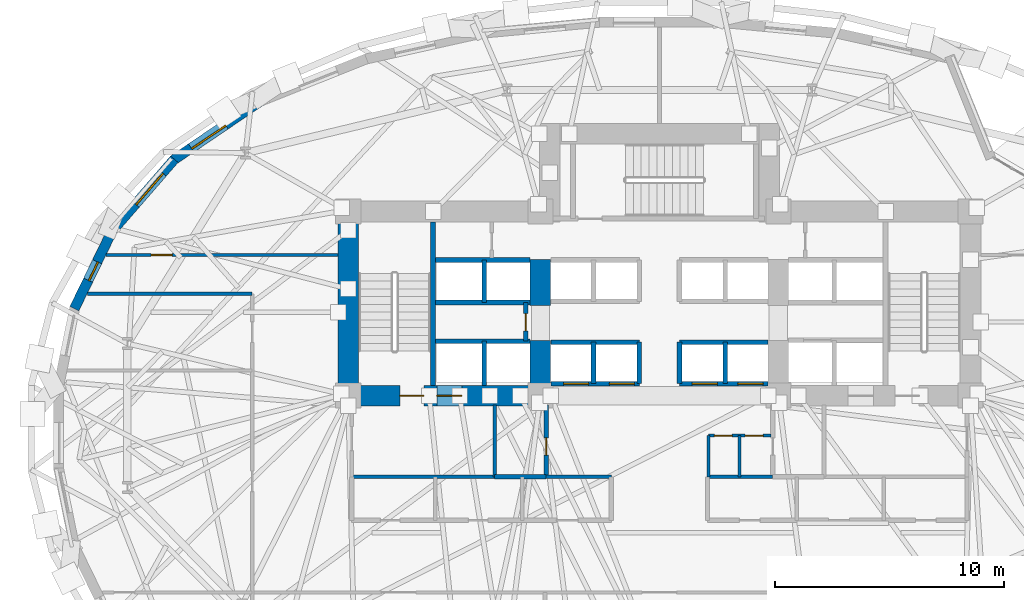
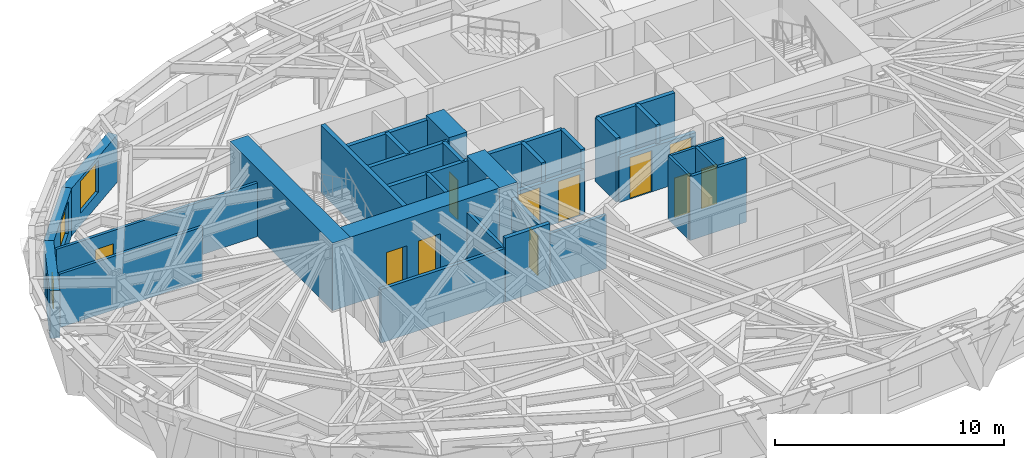
# One storey, part 8 of 15: 33 walls, 11 doors, 3 windows, 14 openings.
"""IFC4 building model written with IfcOpenShell, lengths in metres."""

from ifc_helpers import new_model, si_unit, direction, frame, frame_2d, origin, place, context, subcontext, project, spatial, rectangle, extrude, material, layer, layer_set, type_object, element, fill, save


model = new_model("IFC4")

# Units and contexts
model_context = context("Model", 3, precision=1e-05, world=origin(), true_north=direction((0.0, 1.0)))
body_context = subcontext(model_context, "Body", "Model", "MODEL_VIEW")
ifc_project = project(units=[si_unit("LENGTHUNIT", "METRE"), si_unit("AREAUNIT", "SQUARE_METRE"), si_unit("VOLUMEUNIT", "CUBIC_METRE"), si_unit("PLANEANGLEUNIT", "RADIAN"), si_unit("MASSUNIT", "GRAM", prefix="KILO")], contexts=[model_context])

# Site, building, storey
site_placement = place(None, origin())
site = spatial("IfcSite", under=ifc_project, at=site_placement, CompositionType="ELEMENT")
building_placement = place(site_placement, origin())
building = spatial("IfcBuilding", under=site, at=building_placement, Name="Keldmark Tower", CompositionType="ELEMENT")
storey_placement = place(building_placement, frame((0.0, 0.0, 37.800048828125)))
storey = spatial("IfcBuildingStorey", under=building, at=storey_placement, Name="L09", CompositionType="ELEMENT", Elevation=37.800048828125)

# Wall, opening, door
ifc_material_1 = material(Name="Acoustic Double-Layer Gypsum Corridor Partition", Category="gypsum")
ifc_layer_1 = layer(ifc_material_1, 0.139892578125)
ifc_layer_set_1 = layer_set([ifc_layer_1], Name="Acoustic Double-Layer Gypsum Corridor Partition")
wall_type_1 = type_object("IfcWallType", Name="Acoustic Corridor Partition 140 mm", PredefinedType="PARTITIONING", material=ifc_layer_set_1)
wall_1_placement = place(storey_placement, frame((-24.18115234375, 7.550048828125, 0.0), z_axis=(0.0, 0.0, 1.0), x_axis=(1.0, 0.0, 0.0)))
wall_1 = element("IfcWall", 1, at=wall_1_placement, inside=storey, type_object=wall_type_1, Name="L09 Acoustic Corridor Partition 140 mm COR-WN-CAP", PredefinedType="PARTITIONING", context=body_context, shape_type="SweptSolid", body=[
    extrude(rectangle(XDim=10.131103515625, YDim=0.139892578125, at=frame_2d((5.0654296875, 0.0))), origin(), (0.0, 0.0, 1.0), 2.85302734375),
])
opening_1_placement = place(wall_1_placement, frame((1.962646484375, 0.0, 0.0)))
opening_1 = element("IfcOpeningElement", 2, at=opening_1_placement, cuts=wall_1, Name="Opening D-EX092", PredefinedType="OPENING", context=body_context, shape_type="SweptSolid", body=[
    extrude(rectangle(XDim=0.919921875, YDim=2.14990234375, at=frame_2d((0.4599609375, 1.074951171875))), frame((0.0, 0.079833984375, 0.0), z_axis=(0.0, -1.0, 0.0), x_axis=(1.0, 0.0, 0.0)), (0.0, 0.0, 1.0), 0.159912109375),
])
ifc_material_2 = material(Name="Flush American Ash Executive Office Door", Category="wood")
door_type_1 = type_object("IfcDoorType", Name="Executive Office Door 920x2150", OperationType="NOTDEFINED", PredefinedType="DOOR", material=ifc_material_2)
door_1_placement = place(opening_1_placement, origin())
door_1 = element("IfcDoor", 3, at=door_1_placement, inside=storey, type_object=door_type_1, Name="L09 Executive Office Door 920x2150 D-NRNW-L09", OperationType="SINGLE_SWING_LEFT", OverallHeight=2.14990234375, OverallWidth=0.919921875, PredefinedType="DOOR", context=body_context, shape_type="SweptSolid", body=[
    extrude(rectangle(XDim=0.919921875, YDim=2.14990234375, at=frame_2d((0.4599609375, 1.074951171875))), frame((0.0, 0.02490234375, 0.0), z_axis=(0.0, -1.0, 0.0), x_axis=(1.0, 0.0, 0.0)), (0.0, 0.0, 1.0), 0.050048828125),
])
fill(opening_1, door_1)

# Wall
wall_2_placement = place(storey_placement, frame((-25.00830078125, 5.85009765625, 0.0), z_axis=(0.0, 0.0, 1.0), x_axis=(1.0, 0.0, 0.0)))
element("IfcWall", 4, at=wall_2_placement, inside=storey, type_object=wall_type_1, Name="L09 Acoustic Corridor Partition 140 mm COR-WA-S", PredefinedType="PARTITIONING", context=body_context, shape_type="SweptSolid", body=[
    extrude(rectangle(XDim=7.208251953125, YDim=0.139892578125, at=frame_2d((3.60400390625, 0.0))), origin(), (0.0, 0.0, 1.0), 2.85302734375),
])

# Wall, openings, doors
ifc_material_3 = material(Name="Acoustic Gypsum Board Interior Partition", Category="gypsum")
ifc_layer_2 = layer(ifc_material_3, 0.1298828125)
ifc_layer_set_2 = layer_set([ifc_layer_2], Name="Acoustic Gypsum Board Interior Partition")
wall_type_2 = type_object("IfcWallType", Name="Interior Partition 130 mm", PredefinedType="PARTITIONING", material=ifc_layer_set_2)
wall_3_placement = place(storey_placement, frame((2.14990234375, -0.35009765625, 0.0), z_axis=(0.0, 0.0, 1.0), x_axis=(1.0, 0.0, 0.0)))
wall_3 = element("IfcWall", 5, at=wall_3_placement, inside=storey, type_object=wall_type_2, Name="L09 Interior Partition 130 mm CSC-E-N", PredefinedType="PARTITIONING", context=body_context, shape_type="SweptSolid", body=[
    extrude(rectangle(XDim=2.72998046875, YDim=0.1298828125, at=frame_2d((1.364990234375, 0.0))), origin(), (0.0, 0.0, 1.0), 3.39990234375),
])
opening_2_placement = place(wall_3_placement, frame((0.25, 0.0, 0.0)))
opening_2 = element("IfcOpeningElement", 6, at=opening_2_placement, cuts=wall_3, Name="Opening D-CL078", PredefinedType="OPENING", context=body_context, shape_type="SweptSolid", body=[
    extrude(rectangle(XDim=0.780029296875, YDim=2.10009765625, at=frame_2d((0.39013671875, 1.050048828125))), frame((0.0, 0.074951171875, 0.0), z_axis=(0.0, -1.0, 0.0), x_axis=(1.0, 0.0, 0.0)), (0.0, 0.0, 1.0), 0.14990234375),
])
opening_3_placement = place(wall_3_placement, frame((1.60009765625, 0.0, 0.0)))
opening_3 = element("IfcOpeningElement", 7, at=opening_3_placement, cuts=wall_3, Name="Opening D-CL078", PredefinedType="OPENING", context=body_context, shape_type="SweptSolid", body=[
    extrude(rectangle(XDim=0.780029296875, YDim=2.10009765625, at=frame_2d((0.39013671875, 1.050048828125))), frame((0.0, 0.074951171875, 0.0), z_axis=(0.0, -1.0, 0.0), x_axis=(1.0, 0.0, 0.0)), (0.0, 0.0, 1.0), 0.14990234375),
])
ifc_material_4 = material(Name="Flush Utility Closet Timber Door", Category="wood")
door_type_2 = type_object("IfcDoorType", Name="Closet Door 780x2100", OperationType="NOTDEFINED", PredefinedType="DOOR", material=ifc_material_4)
door_2_placement = place(opening_2_placement, origin())
door_2 = element("IfcDoor", 8, at=door_2_placement, inside=storey, type_object=door_type_2, Name="L09 Closet Door 780x2100 D-CSCE1-L09", OperationType="SINGLE_SWING_LEFT", OverallHeight=2.10009765625, OverallWidth=0.780029296875, PredefinedType="DOOR", context=body_context, shape_type="SweptSolid", body=[
    extrude(rectangle(XDim=0.780029296875, YDim=2.10009765625, at=frame_2d((0.39013671875, 1.050048828125))), frame((0.0, 0.02490234375, 0.0), z_axis=(0.0, -1.0, 0.0), x_axis=(1.0, 0.0, 0.0)), (0.0, 0.0, 1.0), 0.050048828125),
])
fill(opening_2, door_2)
door_3_placement = place(opening_3_placement, origin())
door_3 = element("IfcDoor", 9, at=door_3_placement, inside=storey, type_object=door_type_2, Name="L09 Closet Door 780x2100 D-CSCE2-L09", OperationType="SINGLE_SWING_RIGHT", OverallHeight=2.10009765625, OverallWidth=0.780029296875, PredefinedType="DOOR", context=body_context, shape_type="SweptSolid", body=[
    extrude(rectangle(XDim=0.780029296875, YDim=2.10009765625, at=frame_2d((0.39013671875, 1.050048828125))), frame((0.0, 0.02490234375, 0.0), z_axis=(0.0, -1.0, 0.0), x_axis=(1.0, 0.0, 0.0)), (0.0, 0.0, 1.0), 0.050048828125),
])
fill(opening_3, door_3)

# Walls
for number, where, z_axis, x_axis, name in (
    (10, (2.14990234375, -2.14990234375, 0.0), (0.0, 0.0, 1.0), (0.0, 1.0, 0.0), "L09 Interior Partition 130 mm CSC-E-W"),
    (11, (3.5, -2.14990234375, 0.0), (0.0, 0.0, 1.0), (0.0, 1.0, 0.0), "L09 Interior Partition 130 mm CSC-E-M"),
):
    element("IfcWall", number, at=place(storey_placement, frame(where, z_axis=z_axis, x_axis=x_axis)), inside=storey, type_object=wall_type_2, Name=name, PredefinedType="PARTITIONING", context=body_context, shape_type="SweptSolid", body=[
        extrude(rectangle(XDim=1.7998046875, YDim=0.1298828125, at=frame_2d((0.89990234375, 0.0))), origin(), (0.0, 0.0, 1.0), 3.39990234375),
    ])
ifc_material_5 = material(Name="Concrete C70/85", Category="concrete")
ifc_layer_3 = layer(ifc_material_5, 0.89990234375)
ifc_layer_set_3 = layer_set([ifc_layer_3], Name="Concrete C70/85")
wall_type_3 = type_object("IfcWallType", Name="Lower Core Shear Wall 900 mm", PredefinedType="SHEAR", material=ifc_layer_set_3)
wall_4_placement = place(storey_placement, frame((-13.60009765625, 0.949951171875, 0.0), z_axis=(0.0, 0.0, 1.0), x_axis=(0.0, 1.0, 0.0)))
element("IfcWall", 12, at=wall_4_placement, inside=storey, type_object=wall_type_3, Name="L09 West Core Outer Shear Wall", PredefinedType="SHEAR", context=body_context, shape_type="SweptSolid", body=[
    extrude(rectangle(XDim=8.949951171875, YDim=0.89990234375, at=frame_2d((4.47509765625, 0.0))), origin(), (0.0, 0.0, 1.0), 3.599853515625),
])

# Wall, openings, doors
wall_5_placement = place(storey_placement, frame((-4.75, 1.39990234375, 0.0), z_axis=(0.0, 0.0, 1.0), x_axis=(-1.0, 0.0, 0.0)))
wall_5 = element("IfcWall", 13, at=wall_5_placement, inside=storey, type_object=wall_type_3, Name="L09 West Core South Shear Wall", PredefinedType="SHEAR", context=body_context, shape_type="SweptSolid", body=[
    extrude(rectangle(XDim=9.300048828125, YDim=0.89990234375, at=frame_2d((4.64990234375, 0.0))), origin(), (0.0, 0.0, 1.0), 3.599853515625),
])
opening_4_placement = place(wall_5_placement, frame((5.550048828125, 0.0, 0.0)))
opening_4 = element("IfcOpeningElement", 14, at=opening_4_placement, cuts=wall_5, Name="Opening D-ST105", PredefinedType="OPENING", context=body_context, shape_type="SweptSolid", body=[
    extrude(rectangle(XDim=1.050048828125, YDim=2.14990234375, at=frame_2d((0.52490234375, 1.074951171875))), frame((0.0, 0.4599609375, 0.0), z_axis=(0.0, -1.0, 0.0), x_axis=(1.0, 0.0, 0.0)), (0.0, 0.0, 1.0), 0.919921875),
])
opening_5_placement = place(wall_5_placement, frame((3.8798828125, 0.0, 0.0)))
opening_5 = element("IfcOpeningElement", 15, at=opening_5_placement, cuts=wall_5, Name="Opening LD-110", PredefinedType="OPENING", context=body_context, shape_type="SweptSolid", body=[
    extrude(rectangle(XDim=1.10009765625, YDim=2.199951171875, at=frame_2d((0.550048828125, 1.10009765625))), frame((0.0, 0.4599609375, 0.0), z_axis=(0.0, -1.0, 0.0), x_axis=(1.0, 0.0, 0.0)), (0.0, 0.0, 1.0), 0.919921875),
])
ifc_material_6 = material(Name="Brushed Bronze Hoistway Sliding Leaf", Category="metal")
door_type_3 = type_object("IfcDoorType", Name="Lift Landing Sliding Door 1100x2200", OperationType="SLIDING_TO_LEFT", PredefinedType="DOOR", material=ifc_material_6)
door_4_placement = place(opening_5_placement, origin())
door_4 = element("IfcDoor", 16, at=door_4_placement, inside=storey, type_object=door_type_3, Name="L09 Lift Landing Sliding Door 1100x2200 LD-EL-FS1-L09", OperationType="SLIDING_TO_LEFT", OverallHeight=2.199951171875, OverallWidth=1.10009765625, PredefinedType="DOOR", context=body_context, shape_type="SweptSolid", body=[
    extrude(rectangle(XDim=1.10009765625, YDim=2.199951171875, at=frame_2d((0.550048828125, 1.10009765625))), frame((0.0, 0.02490234375, 0.0), z_axis=(0.0, -1.0, 0.0), x_axis=(1.0, 0.0, 0.0)), (0.0, 0.0, 1.0), 0.050048828125),
])
fill(opening_5, door_4)
ifc_material_7 = material(Name="Hollow Metal Fire-Rated Door Assembly", Category="metal")
door_type_4 = type_object("IfcDoorType", Name="Stair Fire Door 1050x2150", OperationType="NOTDEFINED", PredefinedType="DOOR", material=ifc_material_7)
door_5_placement = place(opening_4_placement, origin())
door_5 = element("IfcDoor", 17, at=door_5_placement, inside=storey, type_object=door_type_4, Name="L09 Stair Fire Door 1050x2150 D-ST1-L09", OperationType="SINGLE_SWING_RIGHT", OverallHeight=2.14990234375, OverallWidth=1.050048828125, PredefinedType="DOOR", context=body_context, shape_type="SweptSolid", body=[
    extrude(rectangle(XDim=1.050048828125, YDim=2.14990234375, at=frame_2d((0.52490234375, 1.074951171875))), frame((0.0, 0.02490234375, 0.0), z_axis=(0.0, -1.0, 0.0), x_axis=(1.0, 0.0, 0.0)), (0.0, 0.0, 1.0), 0.050048828125),
])
fill(opening_4, door_5)

# Walls
wall_6_placement = place(storey_placement, frame((-5.199951171875, 0.949951171875, 0.0), z_axis=(0.0, 0.0, 1.0), x_axis=(0.0, 1.0, 0.0)))
element("IfcWall", 18, at=wall_6_placement, inside=storey, type_object=wall_type_3, Name="L09 West Core Inner Shear Pier South", PredefinedType="SHEAR", context=body_context, shape_type="SweptSolid", body=[
    extrude(rectangle(XDim=2.85009765625, YDim=0.89990234375, at=frame_2d((1.425048828125, 0.0))), origin(), (0.0, 0.0, 1.0), 3.599853515625),
])
wall_7_placement = place(storey_placement, frame((-5.199951171875, 5.35009765625, 0.0), z_axis=(0.0, 0.0, 1.0), x_axis=(0.0, 1.0, 0.0)))
element("IfcWall", 19, at=wall_7_placement, inside=storey, type_object=wall_type_3, Name="L09 West Core Inner Shear Pier North", PredefinedType="SHEAR", context=body_context, shape_type="SweptSolid", body=[
    extrude(rectangle(XDim=2.0, YDim=0.89990234375, at=frame_2d((1.0, 0.0))), origin(), (0.0, 0.0, 1.0), 3.599853515625),
])
ifc_material_8 = material(Name="Type X Fire-Rated Gypsum Partition Assembly", Category="gypsum")
ifc_layer_4 = layer(ifc_material_8, 0.1650390625)
ifc_layer_set_4 = layer_set([ifc_layer_4], Name="Type X Fire-Rated Gypsum Partition Assembly")
wall_type_4 = type_object("IfcWallType", Name="Rated Partition 165 mm", PredefinedType="PARTITIONING", material=ifc_layer_set_4)
wall_8_placement = place(storey_placement, frame((-13.449951171875, -2.14990234375, 0.0), z_axis=(0.0, 0.0, 1.0), x_axis=(1.0, 0.0, 0.0)))
element("IfcWall", 20, at=wall_8_placement, inside=storey, type_object=wall_type_4, Name="L09 Rated Partition 165 mm FSAE-W-S", PredefinedType="PARTITIONING", context=body_context, shape_type="SweptSolid", body=[
    extrude(rectangle(XDim=6.25, YDim=0.1650390625, at=frame_2d((3.125, 0.0))), origin(), (0.0, 0.0, 1.0), 2.85302734375),
])
wall_9_placement = place(storey_placement, frame((-7.199951171875, -2.14990234375, 0.0), z_axis=(0.0, 0.0, 1.0), x_axis=(0.0, 1.0, 0.0)))
element("IfcWall", 21, at=wall_9_placement, inside=storey, type_object=wall_type_4, Name="L09 Rated Partition 165 mm FSAE-W-E", PredefinedType="PARTITIONING", context=body_context, shape_type="SweptSolid", body=[
    extrude(rectangle(XDim=3.14990234375, YDim=0.1650390625, at=frame_2d((1.574951171875, 0.0))), origin(), (0.0, 0.0, 1.0), 2.85302734375),
])
ifc_material_9 = material(Name="Fire-Resistant Type X Gypsum Shaftliner Coreboard", Category="gypsum")
ifc_layer_5 = layer(ifc_material_9, 0.199951171875)
ifc_layer_set_5 = layer_set([ifc_layer_5], Name="Fire-Resistant Type X Gypsum Shaftliner Coreboard")
wall_type_5 = type_object("IfcWallType", Name="Shaft Wall 200 mm", PredefinedType="SOLIDWALL", material=ifc_layer_set_5)
wall_10_placement = place(storey_placement, frame((-7.199951171875, -2.14990234375, 0.0), z_axis=(0.0, 0.0, 1.0), x_axis=(1.0, 0.0, 0.0)))
element("IfcWall", 22, at=wall_10_placement, inside=storey, type_object=wall_type_5, Name="L09 Shaft Wall 200 mm RIS-SW-S", PredefinedType="SOLIDWALL", context=body_context, shape_type="SweptSolid", body=[
    extrude(rectangle(XDim=2.25, YDim=0.199951171875, at=frame_2d((1.125, 0.0))), origin(), (0.0, 0.0, 1.0), 3.39990234375),
])

# Wall, opening, door
wall_11_placement = place(storey_placement, frame((-4.949951171875, -2.14990234375, 0.0), z_axis=(0.0, 0.0, 1.0), x_axis=(0.0, 1.0, 0.0)))
wall_11 = element("IfcWall", 23, at=wall_11_placement, inside=storey, type_object=wall_type_5, Name="L09 Shaft Wall 200 mm RIS-SW-E", PredefinedType="SOLIDWALL", context=body_context, shape_type="SweptSolid", body=[
    extrude(rectangle(XDim=3.14990234375, YDim=0.199951171875, at=frame_2d((1.574951171875, 0.0))), origin(), (0.0, 0.0, 1.0), 2.85302734375),
])
opening_6_placement = place(wall_11_placement, frame((0.949951171875, 0.0, 0.0)))
opening_6 = element("IfcOpeningElement", 24, at=opening_6_placement, cuts=wall_11, Name="Opening D-RS075", PredefinedType="OPENING", context=body_context, shape_type="SweptSolid", body=[
    extrude(rectangle(XDim=0.75, YDim=2.10009765625, at=frame_2d((0.375, 1.050048828125))), frame((0.0, 0.10986328125, 0.0), z_axis=(0.0, -1.0, 0.0), x_axis=(1.0, 0.0, 0.0)), (0.0, 0.0, 1.0), 0.219970703125),
])
ifc_material_10 = material(Name="Galvanized Fire-Rated Access Leaf", Category="metal")
door_type_5 = type_object("IfcDoorType", Name="Riser Access Door 750x2100", OperationType="NOTDEFINED", PredefinedType="DOOR", material=ifc_material_10)
door_6_placement = place(opening_6_placement, origin())
door_6 = element("IfcDoor", 25, at=door_6_placement, inside=storey, type_object=door_type_5, Name="L09 Riser Access Door 750x2100 D-RISSW-L09", OperationType="SINGLE_SWING_RIGHT", OverallHeight=2.10009765625, OverallWidth=0.75, PredefinedType="DOOR", context=body_context, shape_type="SweptSolid", body=[
    extrude(rectangle(XDim=0.75, YDim=2.10009765625, at=frame_2d((0.375, 1.050048828125))), frame((0.0, 0.02490234375, 0.0), z_axis=(0.0, -1.0, 0.0), x_axis=(1.0, 0.0, 0.0)), (0.0, 0.0, 1.0), 0.050048828125),
])
fill(opening_6, door_6)

# Walls
wall_12_placement = place(storey_placement, frame((-9.780029296875, 3.780029296875, 0.0), z_axis=(0.0, 0.0, 1.0), x_axis=(1.0, 0.0, 0.0)))
element("IfcWall", 26, at=wall_12_placement, inside=storey, type_object=wall_type_5, Name="L09 Shaft Wall 200 mm HW-W-S", PredefinedType="SOLIDWALL", context=body_context, shape_type="SweptSolid", body=[
    extrude(rectangle(XDim=4.130126953125, YDim=0.199951171875, at=frame_2d((2.06494140625, 0.0))), origin(), (0.0, 0.0, 1.0), 3.39990234375),
])
wall_13_placement = place(storey_placement, frame((-7.64990234375, 1.85009765625, 0.0), z_axis=(0.0, 0.0, 1.0), x_axis=(0.0, 1.0, 0.0)))
element("IfcWall", 27, at=wall_13_placement, inside=storey, type_object=wall_type_5, Name="L09 Shaft Wall 200 mm HW-W-M", PredefinedType="SOLIDWALL", context=body_context, shape_type="SweptSolid", body=[
    extrude(rectangle(XDim=1.929931640625, YDim=0.199951171875, at=frame_2d((0.96484375, 0.0))), origin(), (0.0, 0.0, 1.0), 3.39990234375),
])
for number, where, z_axis, x_axis, name in (
    (28, (-9.780029296875, 5.469970703125, 0.0), (0.0, 0.0, 1.0), (1.0, 0.0, 0.0), "L09 Shaft Wall 200 mm HW-W-N"),
    (29, (-9.780029296875, 7.330078125, 0.0), (0.0, 0.0, 1.0), (1.0, 0.0, 0.0), "L09 Shaft Wall 200 mm HW-W-TOP"),
):
    element("IfcWall", number, at=place(storey_placement, frame(where, z_axis=z_axis, x_axis=x_axis)), inside=storey, type_object=wall_type_5, Name=name, PredefinedType="SOLIDWALL", context=body_context, shape_type="SweptSolid", body=[
        extrude(rectangle(XDim=4.130126953125, YDim=0.199951171875, at=frame_2d((2.06494140625, 0.0))), origin(), (0.0, 0.0, 1.0), 3.39990234375),
    ])
wall_14_placement = place(storey_placement, frame((-7.64990234375, 5.469970703125, 0.0), z_axis=(0.0, 0.0, 1.0), x_axis=(0.0, 1.0, 0.0)))
element("IfcWall", 30, at=wall_14_placement, inside=storey, type_object=wall_type_5, Name="L09 Shaft Wall 200 mm HW-W-NM", PredefinedType="SOLIDWALL", context=body_context, shape_type="SweptSolid", body=[
    extrude(rectangle(XDim=1.860107421875, YDim=0.199951171875, at=frame_2d((0.93017578125, 0.0))), origin(), (0.0, 0.0, 1.0), 3.39990234375),
])

# Wall, opening, door
wall_15_placement = place(storey_placement, frame((-5.85009765625, 3.780029296875, 0.0), z_axis=(0.0, 0.0, 1.0), x_axis=(0.0, 1.0, 0.0)))
wall_15 = element("IfcWall", 31, at=wall_15_placement, inside=storey, type_object=wall_type_5, Name="L09 Shaft Wall 200 mm HW-W-CLOSE", PredefinedType="SOLIDWALL", context=body_context, shape_type="SweptSolid", body=[
    extrude(rectangle(XDim=1.68994140625, YDim=0.199951171875, at=frame_2d((0.844970703125, 0.0))), origin(), (0.0, 0.0, 1.0), 3.39990234375),
])
opening_7_placement = place(wall_15_placement, frame((0.449951171875, 0.0, 0.0)))
opening_7 = element("IfcOpeningElement", 32, at=opening_7_placement, cuts=wall_15, Name="Opening D-RS075", PredefinedType="OPENING", context=body_context, shape_type="SweptSolid", body=[
    extrude(rectangle(XDim=0.75, YDim=2.10009765625, at=frame_2d((0.375, 1.050048828125))), frame((0.0, 0.10986328125, 0.0), z_axis=(0.0, -1.0, 0.0), x_axis=(1.0, 0.0, 0.0)), (0.0, 0.0, 1.0), 0.219970703125),
])
door_7_placement = place(opening_7_placement, origin())
door_7 = element("IfcDoor", 33, at=door_7_placement, inside=storey, type_object=door_type_5, Name="L09 Riser Access Door 750x2100 D-RISHW-L09", OperationType="SINGLE_SWING_RIGHT", OverallHeight=2.10009765625, OverallWidth=0.75, PredefinedType="DOOR", context=body_context, shape_type="SweptSolid", body=[
    extrude(rectangle(XDim=0.75, YDim=2.10009765625, at=frame_2d((0.375, 1.050048828125))), frame((0.0, 0.02490234375, 0.0), z_axis=(0.0, -1.0, 0.0), x_axis=(1.0, 0.0, 0.0)), (0.0, 0.0, 1.0), 0.050048828125),
])
fill(opening_7, door_7)

# Wall, openings, doors
wall_16_placement = place(storey_placement, frame((-4.739990234375, 1.919921875, 0.0), z_axis=(0.0, 0.0, 1.0), x_axis=(1.0, 0.0, 0.0)))
wall_16 = element("IfcWall", 34, at=wall_16_placement, inside=storey, type_object=wall_type_5, Name="L09 Shaft Wall 200 mm LOW-S-W", PredefinedType="SOLIDWALL", context=body_context, shape_type="SweptSolid", body=[
    extrude(rectangle(XDim=3.860107421875, YDim=0.199951171875, at=frame_2d((1.93017578125, 0.0))), origin(), (0.0, 0.0, 1.0), 2.389892578125),
])
opening_8_placement = place(wall_16_placement, frame((0.550048828125, 0.0, 0.0)))
opening_8 = element("IfcOpeningElement", 35, at=opening_8_placement, cuts=wall_16, Name="Opening LD-110", PredefinedType="OPENING", context=body_context, shape_type="SweptSolid", body=[
    extrude(rectangle(XDim=1.10009765625, YDim=2.199951171875, at=frame_2d((0.550048828125, 1.10009765625))), frame((0.0, 0.10986328125, 0.0), z_axis=(0.0, -1.0, 0.0), x_axis=(1.0, 0.0, 0.0)), (0.0, 0.0, 1.0), 0.219970703125),
])
opening_9_placement = place(wall_16_placement, frame((2.550048828125, 0.0, 0.0)))
opening_9 = element("IfcOpeningElement", 36, at=opening_9_placement, cuts=wall_16, Name="Opening LD-110", PredefinedType="OPENING", context=body_context, shape_type="SweptSolid", body=[
    extrude(rectangle(XDim=1.10009765625, YDim=2.199951171875, at=frame_2d((0.550048828125, 1.10009765625))), frame((0.0, 0.10986328125, 0.0), z_axis=(0.0, -1.0, 0.0), x_axis=(1.0, 0.0, 0.0)), (0.0, 0.0, 1.0), 0.219970703125),
])
door_8_placement = place(opening_8_placement, origin())
door_8 = element("IfcDoor", 37, at=door_8_placement, inside=storey, type_object=door_type_3, Name="L09 Lift Landing Sliding Door 1100x2200 LD-EL-L1-L09", OperationType="SLIDING_TO_LEFT", OverallHeight=2.199951171875, OverallWidth=1.10009765625, PredefinedType="DOOR", context=body_context, shape_type="SweptSolid", body=[
    extrude(rectangle(XDim=1.10009765625, YDim=2.199951171875, at=frame_2d((0.550048828125, 1.10009765625))), frame((0.0, 0.02490234375, 0.0), z_axis=(0.0, -1.0, 0.0), x_axis=(1.0, 0.0, 0.0)), (0.0, 0.0, 1.0), 0.050048828125),
])
fill(opening_8, door_8)
door_9_placement = place(opening_9_placement, origin())
door_9 = element("IfcDoor", 38, at=door_9_placement, inside=storey, type_object=door_type_3, Name="L09 Lift Landing Sliding Door 1100x2200 LD-EL-L2-L09", OperationType="SLIDING_TO_LEFT", OverallHeight=2.199951171875, OverallWidth=1.10009765625, PredefinedType="DOOR", context=body_context, shape_type="SweptSolid", body=[
    extrude(rectangle(XDim=1.10009765625, YDim=2.199951171875, at=frame_2d((0.550048828125, 1.10009765625))), frame((0.0, 0.02490234375, 0.0), z_axis=(0.0, -1.0, 0.0), x_axis=(1.0, 0.0, 0.0)), (0.0, 0.0, 1.0), 0.050048828125),
])
fill(opening_9, door_9)

wall_17_placement = place(storey_placement, frame((0.8798828125, 1.919921875, 0.0), z_axis=(0.0, 0.0, 1.0), x_axis=(1.0, 0.0, 0.0)))
wall_17 = element("IfcWall", 39, at=wall_17_placement, inside=storey, type_object=wall_type_5, Name="L09 Shaft Wall 200 mm LOW-S-E", PredefinedType="SOLIDWALL", context=body_context, shape_type="SweptSolid", body=[
    extrude(rectangle(XDim=3.860107421875, YDim=0.199951171875, at=frame_2d((1.93017578125, 0.0))), origin(), (0.0, 0.0, 1.0), 2.389892578125),
])
opening_10_placement = place(wall_17_placement, frame((0.550048828125, 0.0, 0.0)))
opening_10 = element("IfcOpeningElement", 40, at=opening_10_placement, cuts=wall_17, Name="Opening LD-110", PredefinedType="OPENING", context=body_context, shape_type="SweptSolid", body=[
    extrude(rectangle(XDim=1.10009765625, YDim=2.199951171875, at=frame_2d((0.550048828125, 1.10009765625))), frame((0.0, 0.10986328125, 0.0), z_axis=(0.0, -1.0, 0.0), x_axis=(1.0, 0.0, 0.0)), (0.0, 0.0, 1.0), 0.219970703125),
])
opening_11_placement = place(wall_17_placement, frame((2.550048828125, 0.0, 0.0)))
opening_11 = element("IfcOpeningElement", 41, at=opening_11_placement, cuts=wall_17, Name="Opening LD-110", PredefinedType="OPENING", context=body_context, shape_type="SweptSolid", body=[
    extrude(rectangle(XDim=1.10009765625, YDim=2.199951171875, at=frame_2d((0.550048828125, 1.10009765625))), frame((0.0, 0.10986328125, 0.0), z_axis=(0.0, -1.0, 0.0), x_axis=(1.0, 0.0, 0.0)), (0.0, 0.0, 1.0), 0.219970703125),
])
door_10_placement = place(opening_10_placement, origin())
door_10 = element("IfcDoor", 42, at=door_10_placement, inside=storey, type_object=door_type_3, Name="L09 Lift Landing Sliding Door 1100x2200 LD-EL-L3-L09", OperationType="SLIDING_TO_LEFT", OverallHeight=2.199951171875, OverallWidth=1.10009765625, PredefinedType="DOOR", context=body_context, shape_type="SweptSolid", body=[
    extrude(rectangle(XDim=1.10009765625, YDim=2.199951171875, at=frame_2d((0.550048828125, 1.10009765625))), frame((0.0, 0.02490234375, 0.0), z_axis=(0.0, -1.0, 0.0), x_axis=(1.0, 0.0, 0.0)), (0.0, 0.0, 1.0), 0.050048828125),
])
fill(opening_10, door_10)
door_11_placement = place(opening_11_placement, origin())
door_11 = element("IfcDoor", 43, at=door_11_placement, inside=storey, type_object=door_type_3, Name="L09 Lift Landing Sliding Door 1100x2200 LD-EL-L4-L09", OperationType="SLIDING_TO_LEFT", OverallHeight=2.199951171875, OverallWidth=1.10009765625, PredefinedType="DOOR", context=body_context, shape_type="SweptSolid", body=[
    extrude(rectangle(XDim=1.10009765625, YDim=2.199951171875, at=frame_2d((0.550048828125, 1.10009765625))), frame((0.0, 0.02490234375, 0.0), z_axis=(0.0, -1.0, 0.0), x_axis=(1.0, 0.0, 0.0)), (0.0, 0.0, 1.0), 0.050048828125),
])
fill(opening_11, door_11)

# Walls
for number, where, z_axis, x_axis, name in (
    (44, (-4.739990234375, 3.739990234375, 0.0), (0.0, 0.0, 1.0), (1.0, 0.0, 0.0), "L09 Shaft Wall 200 mm LOW-N-W"),
    (45, (0.8798828125, 3.739990234375, 0.0), (0.0, 0.0, 1.0), (1.0, 0.0, 0.0), "L09 Shaft Wall 200 mm LOW-N-E"),
):
    element("IfcWall", number, at=place(storey_placement, frame(where, z_axis=z_axis, x_axis=x_axis)), inside=storey, type_object=wall_type_5, Name=name, PredefinedType="SOLIDWALL", context=body_context, shape_type="SweptSolid", body=[
        extrude(rectangle(XDim=3.860107421875, YDim=0.199951171875, at=frame_2d((1.93017578125, 0.0))), origin(), (0.0, 0.0, 1.0), 3.39990234375),
    ])
for number, where, z_axis, x_axis, name in (
    (46, (-2.8798828125, 1.919921875, 0.0), (0.0, 0.0, 1.0), (0.0, 1.0, 0.0), "L09 Shaft Wall 200 mm LOW-M-W"),
    (47, (2.8798828125, 1.919921875, 0.0), (0.0, 0.0, 1.0), (0.0, 1.0, 0.0), "L09 Shaft Wall 200 mm LOW-M-E"),
    (48, (-0.8798828125, 1.919921875, 0.0), (0.0, 0.0, 1.0), (0.0, 1.0, 0.0), "L09 Shaft Wall 200 mm LOW-C-W"),
    (49, (0.8798828125, 1.919921875, 0.0), (0.0, 0.0, 1.0), (0.0, 1.0, 0.0), "L09 Shaft Wall 200 mm LOW-C-E"),
):
    element("IfcWall", number, at=place(storey_placement, frame(where, z_axis=z_axis, x_axis=x_axis)), inside=storey, type_object=wall_type_5, Name=name, PredefinedType="SOLIDWALL", context=body_context, shape_type="SweptSolid", body=[
        extrude(rectangle(XDim=1.820068359375, YDim=0.199951171875, at=frame_2d((0.91015625, 0.0))), origin(), (0.0, 0.0, 1.0), 3.39990234375),
    ])
ifc_material_11 = material(Name="Concrete C50/60", Category="concrete")
ifc_layer_6 = layer(ifc_material_11, 0.219970703125)
ifc_layer_set_6 = layer_set([ifc_layer_6], Name="Concrete C50/60")
wall_type_6 = type_object("IfcWallType", Name="Stair Core Shear Wall 220 mm", PredefinedType="SHEAR", material=ifc_layer_set_6)
wall_18_placement = place(storey_placement, frame((-9.889892578125, 1.85009765625, 0.0), z_axis=(0.0, 0.0, 1.0), x_axis=(0.0, 1.0, 0.0)))
element("IfcWall", 50, at=wall_18_placement, inside=storey, type_object=wall_type_6, Name="L09 West Stair Core Shear Wall", PredefinedType="SHEAR", context=body_context, shape_type="SweptSolid", body=[
    extrude(rectangle(XDim=7.14990234375, YDim=0.219970703125, at=frame_2d((3.574951171875, 0.0))), origin(), (0.0, 0.0, 1.0), 3.599853515625),
])

# Wall, opening, window
ifc_material_12 = material(Name="Ironspot Manganese Brick and Kasota Buff Limestone Spandrel Assembly", Category="masonry")
ifc_layer_7 = layer(ifc_material_12, 0.43994140625)
ifc_layer_set_7 = layer_set([ifc_layer_7], Name="Ironspot Manganese Brick and Kasota Buff Limestone Spandrel Assembly")
wall_type_7 = type_object("IfcWallType", Name="Tower Brick Pier and Spandrel Wall 440 mm", PredefinedType="STANDARD", material=ifc_layer_set_7)
wall_19_placement = place(storey_placement, frame((-21.2470703125, 11.69775390625, 0.0), z_axis=(0.0, 0.0, 1.0), x_axis=(0.827913159939, 0.560856309227, 0.0)))
wall_19 = element("IfcWall", 51, at=wall_19_placement, inside=storey, type_object=wall_type_7, Name="L09 Exterior Brick and Spandrel Wall 12", PredefinedType="STANDARD", context=body_context, shape_type="SweptSolid", body=[
    extrude(rectangle(XDim=4.628662109375, YDim=0.43994140625, at=frame_2d((2.314453125, 0.0))), origin(), (0.0, 0.0, 1.0), 2.532958984375),
])
opening_12_placement = place(wall_19_placement, frame((0.943359375, 0.0, 0.64990234375)))
opening_12 = element("IfcOpeningElement", 52, at=opening_12_placement, cuts=wall_19, Name="Opening W-02", PredefinedType="OPENING", context=body_context, shape_type="SweptSolid", body=[
    extrude(rectangle(XDim=1.800048828125, YDim=1.699951171875, at=frame_2d((0.89990234375, 0.85009765625))), frame((0.0, 0.22998046875, 0.0), z_axis=(0.0, -1.0, 0.0), x_axis=(1.0, 0.0, 0.0)), (0.0, 0.0, 1.0), 0.4599609375),
])
ifc_material_13 = material(Name="Thermally Broken Anodized Aluminum and Triple Low-E Argon Glazing", Category="aluminium")
window_type_1 = type_object("IfcWindowType", Name="Office Deep-Set Triple Window 1800x1700", PartitioningType="TRIPLE_PANEL_VERTICAL", PredefinedType="WINDOW", material=ifc_material_13)
window_1_placement = place(opening_12_placement, origin())
window_1 = element("IfcWindow", 53, at=window_1_placement, inside=storey, type_object=window_type_1, Name="L09 Deep-Set Window 12", OverallHeight=1.699951171875, OverallWidth=1.800048828125, PartitioningType="SINGLE_PANEL", PredefinedType="WINDOW", context=body_context, shape_type="SweptSolid", body=[
    extrude(rectangle(XDim=1.800048828125, YDim=1.699951171875, at=frame_2d((0.89990234375, 0.85009765625))), frame((0.0, -0.010009765625, 0.0), z_axis=(0.0, -1.0, 0.0), x_axis=(1.0, 0.0, 0.0)), (0.0, 0.0, 1.0), 0.06005859375),
])
fill(opening_12, window_1)

wall_20_placement = place(storey_placement, frame((-23.940185546875, 8.583740234375, 0.0), z_axis=(0.0, 0.0, 1.0), x_axis=(0.655509370307, 0.755187040037, 0.0)))
wall_20 = element("IfcWall", 54, at=wall_20_placement, inside=storey, type_object=wall_type_7, Name="L09 Exterior Brick and Spandrel Wall 13", PredefinedType="STANDARD", context=body_context, shape_type="SweptSolid", body=[
    extrude(rectangle(XDim=4.173583984375, YDim=0.43994140625, at=frame_2d((2.0869140625, 0.0))), origin(), (0.0, 0.0, 1.0), 2.532958984375),
])
opening_13_placement = place(wall_20_placement, frame((1.58154296875, 0.0, 0.64990234375)))
opening_13 = element("IfcOpeningElement", 55, at=opening_13_placement, cuts=wall_20, Name="Opening W-02", PredefinedType="OPENING", context=body_context, shape_type="SweptSolid", body=[
    extrude(rectangle(XDim=1.800048828125, YDim=1.699951171875, at=frame_2d((0.89990234375, 0.85009765625))), frame((0.0, 0.22998046875, 0.0), z_axis=(0.0, -1.0, 0.0), x_axis=(1.0, 0.0, 0.0)), (0.0, 0.0, 1.0), 0.4599609375),
])
window_2_placement = place(opening_13_placement, origin())
window_2 = element("IfcWindow", 56, at=window_2_placement, inside=storey, type_object=window_type_1, Name="L09 Deep-Set Window 13", OverallHeight=1.699951171875, OverallWidth=1.800048828125, PartitioningType="SINGLE_PANEL", PredefinedType="WINDOW", context=body_context, shape_type="SweptSolid", body=[
    extrude(rectangle(XDim=1.800048828125, YDim=1.699951171875, at=frame_2d((0.89990234375, 0.85009765625))), frame((0.0, -0.010009765625, 0.0), z_axis=(0.0, -1.0, 0.0), x_axis=(1.0, 0.0, 0.0)), (0.0, 0.0, 1.0), 0.06005859375),
])
fill(opening_13, window_2)

wall_21_placement = place(storey_placement, frame((-25.577880859375, 5.2001953125, 0.0), z_axis=(0.0, 0.0, 1.0), x_axis=(0.437488090563, 0.899224204865, 0.0)))
wall_21 = element("IfcWall", 57, at=wall_21_placement, inside=storey, type_object=wall_type_7, Name="L09 Exterior Brick and Spandrel Wall 14", PredefinedType="STANDARD", context=body_context, shape_type="SweptSolid", body=[
    extrude(rectangle(XDim=3.81591796875, YDim=0.43994140625, at=frame_2d((1.907958984375, 0.0))), origin(), (0.0, 0.0, 1.0), 2.532958984375),
])
opening_14_placement = place(wall_21_placement, frame((1.384033203125, 0.0, 0.580078125)))
opening_14 = element("IfcOpeningElement", 58, at=opening_14_placement, cuts=wall_21, Name="Opening W-09", PredefinedType="OPENING", context=body_context, shape_type="SweptSolid", body=[
    extrude(rectangle(XDim=0.89990234375, YDim=1.35009765625, at=frame_2d((0.449951171875, 0.675048828125))), frame((0.0, 0.22998046875, 0.0), z_axis=(0.0, -1.0, 0.0), x_axis=(1.0, 0.0, 0.0)), (0.0, 0.0, 1.0), 0.4599609375),
])
ifc_material_14 = material(Name="Thermally Broken Anodized Aluminum and Triple Low-E Argon Glazing", Category="aluminium")
window_type_2 = type_object("IfcWindowType", Name="Corner Pier Deep-Set Window 900x1350", PartitioningType="SINGLE_PANEL", PredefinedType="WINDOW", material=ifc_material_14)
window_3_placement = place(opening_14_placement, origin())
window_3 = element("IfcWindow", 59, at=window_3_placement, inside=storey, type_object=window_type_2, Name="L09 Deep-Set Window 14", OverallHeight=1.35009765625, OverallWidth=0.89990234375, PartitioningType="SINGLE_PANEL", PredefinedType="WINDOW", context=body_context, shape_type="SweptSolid", body=[
    extrude(rectangle(XDim=0.89990234375, YDim=1.35009765625, at=frame_2d((0.449951171875, 0.675048828125))), frame((0.0, -0.010009765625, 0.0), z_axis=(0.0, -1.0, 0.0), x_axis=(1.0, 0.0, 0.0)), (0.0, 0.0, 1.0), 0.06005859375),
])
fill(opening_14, window_3)

# Walls
ifc_material_15 = material(Name="Moisture-Resistant Gypsum Plumbing Partition", Category="gypsum")
ifc_layer_8 = layer(ifc_material_15, 0.14990234375)
ifc_layer_set_8 = layer_set([ifc_layer_8], Name="Moisture-Resistant Gypsum Plumbing Partition")
wall_type_8 = type_object("IfcWallType", Name="Wet Wall 150 mm", PredefinedType="PLUMBINGWALL", material=ifc_layer_set_8)
wall_22_placement = place(storey_placement, frame((-4.949951171875, -2.14990234375, 0.0), z_axis=(0.0, 0.0, 1.0), x_axis=(1.0, 0.0, 0.0)))
element("IfcWall", 60, at=wall_22_placement, inside=storey, type_object=wall_type_8, Name="L09 Wet Wall 150 mm SPK-W-N", PredefinedType="PLUMBINGWALL", context=body_context, shape_type="SweptSolid", body=[
    extrude(rectangle(XDim=2.849853515625, YDim=0.14990234375, at=frame_2d((1.4248046875, 0.0))), origin(), (0.0, 0.0, 1.0), 2.85302734375),
])
wall_23_placement = place(storey_placement, frame((2.10009765625, -2.14990234375, 0.0), z_axis=(0.0, 0.0, 1.0), x_axis=(1.0, 0.0, 0.0)))
element("IfcWall", 61, at=wall_23_placement, inside=storey, type_object=wall_type_8, Name="L09 Wet Wall 150 mm SPK-E-N", PredefinedType="PLUMBINGWALL", context=body_context, shape_type="SweptSolid", body=[
    extrude(rectangle(XDim=2.849853515625, YDim=0.14990234375, at=frame_2d((1.4248046875, 0.0))), origin(), (0.0, 0.0, 1.0), 3.39990234375),
])

save(model, "model.ifc")
